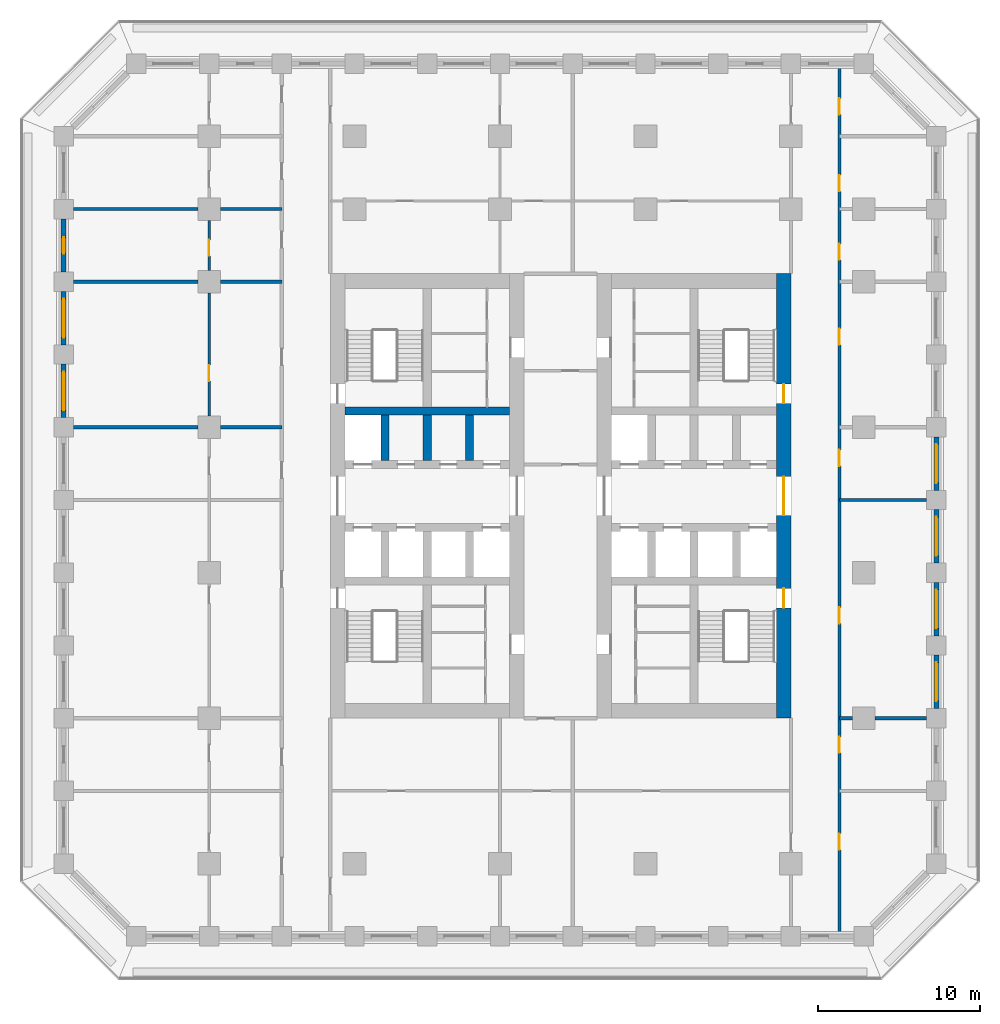
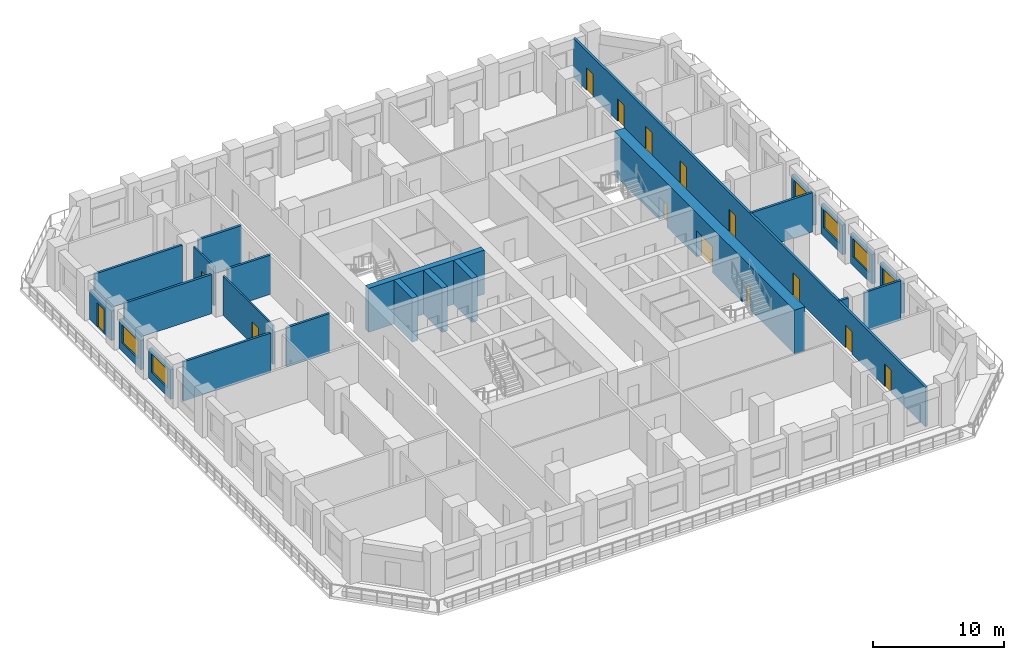
# One storey, part 6 of 17: 24 walls, 14 doors, 6 windows, 20 openings.
"""IFC4 building model written with IfcOpenShell, lengths in metres."""

import ifcopenshell
import ifcopenshell.guid

model = None  # the IFC model being written
_history = None  # IfcOwnerHistory: only IFC2X3 demands one
_inside = {}  # id of a spatial element -> (the spatial element, [elements in it])
_under = {}  # id of a project, library or spatial element -> (it, [spatial elements below it])
_declared = {}  # id of a project -> (the project, [libraries it declares])
_typed = {}  # id of a type object -> (the type object, [elements of that type])
_made_of = {}  # id of a material, layer set ... -> (it, [elements and type objects made of it])


def new_model(schema):
    """Start an empty IFC model of exactly this schema.

    Asked for "IFC4X3", IfcOpenShell would pick the latest addendum, in which some entities
    have other attributes; the version numbers below select the first issue.
    IFC2X3 requires an IfcOwnerHistory on every rooted entity: one is made here for all.
    """
    global model, _history
    if schema == "IFC4X3":
        model = ifcopenshell.file(schema_version=(4, 3, 0, 0))
    else:
        model = ifcopenshell.file(schema=schema)
    _inside.clear()
    _under.clear()
    _declared.clear()
    _typed.clear()
    _made_of.clear()
    _history = None
    if model.schema == "IFC2X3":
        org = make("IfcOrganization", Name="unknown")
        user = make(
            "IfcPersonAndOrganization",
            ThePerson=make("IfcPerson", FamilyName="unknown"),
            TheOrganization=org,
        )
        app = make(
            "IfcApplication",
            ApplicationDeveloper=org,
            Version="unknown",
            ApplicationFullName="unknown",
            ApplicationIdentifier="unknown",
        )
        _history = make(
            "IfcOwnerHistory",
            OwningUser=user,
            OwningApplication=app,
            ChangeAction="ADDED",
            CreationDate=0,
        )
    return model


def make(cls, **values):
    """One entity of the class cls with the attributes given. An attribute that is None is left unset."""
    return model.create_entity(
        cls, **{name: value for name, value in values.items() if value is not None}
    )


def rooted(cls, **values):
    """An entity with a GlobalId (a new one), such as an element, a storey or a relation."""
    return make(cls, GlobalId=ifcopenshell.guid.new(), OwnerHistory=_history, **values)


def si_unit(unit_type, name, prefix=None):
    """IfcSIUnit, for example si_unit("LENGTHUNIT", "METRE", prefix="MILLI")."""
    return make("IfcSIUnit", UnitType=unit_type, Prefix=prefix, Name=name)


def assignment(units):
    """IfcUnitAssignment: the units of a project."""
    return None if units is None else make("IfcUnitAssignment", Units=units)


def point(xyz):
    """IfcCartesianPoint."""
    return None if xyz is None else make("IfcCartesianPoint", Coordinates=xyz)


def direction(xyz):
    """IfcDirection."""
    return None if xyz is None else make("IfcDirection", DirectionRatios=xyz)


def frame(location, z_axis=None, x_axis=None):
    """IfcAxis2Placement3D, a coordinate frame: its origin and axes. An axis left out is left unset."""
    return make(
        "IfcAxis2Placement3D",
        Location=point(location),
        Axis=direction(z_axis),
        RefDirection=direction(x_axis),
    )


def frame_2d(location, x_axis=None):
    """IfcAxis2Placement2D, a coordinate frame in the plane: its origin and x axis."""
    return make(
        "IfcAxis2Placement2D", Location=point(location), RefDirection=direction(x_axis)
    )


def origin():
    """The frame at (0, 0, 0) with its axes left unset."""
    return frame((0.0, 0.0, 0.0))


def place(relative_to, where):
    """IfcLocalPlacement: puts the frame where relative to a parent placement (None: the world)."""
    return make(
        "IfcLocalPlacement", PlacementRelTo=relative_to, RelativePlacement=where
    )


def context(
    kind, dimensions, precision=None, world=None, true_north=None, identifier=None
):
    """IfcGeometricRepresentationContext, for example the 3D "Model" context."""
    return make(
        "IfcGeometricRepresentationContext",
        ContextIdentifier=identifier,
        ContextType=kind,
        CoordinateSpaceDimension=dimensions,
        Precision=precision,
        WorldCoordinateSystem=world,
        TrueNorth=true_north,
    )


def subcontext(parent, identifier, kind, view, scale=None):
    """IfcGeometricRepresentationSubContext, for example "Body" below "Model"."""
    return make(
        "IfcGeometricRepresentationSubContext",
        ContextIdentifier=identifier,
        ContextType=kind,
        ParentContext=parent,
        TargetScale=scale,
        TargetView=view,
    )


def project(units=None, contexts=None):
    """IfcProject with its units and contexts."""
    return rooted(
        "IfcProject",
        Name="project",
        RepresentationContexts=contexts,
        UnitsInContext=assignment(units),
    )


def spatial(cls, under=None, at=None, **own):
    """A site, building, storey or space (cls), placed at a placement, below another one or the project."""
    s = rooted(cls, ObjectPlacement=at, **own)
    if under is not None:
        _under.setdefault(under.id(), (under, []))[1].append(s)
    return s


def profile(cls, at=None, kind="AREA", **sizes):
    """A parametric profile (cls). Its sizes go by their IFC names, for example OverallWidth=200.0."""
    return make(cls, ProfileType=kind, Position=at, **sizes)


def rectangle(**sizes):
    """IfcRectangleProfileDef."""
    return profile("IfcRectangleProfileDef", **sizes)


def extrude(swept, where, along, depth):
    """IfcExtrudedAreaSolid: the profile swept, set in the frame where, extruded along a direction by depth."""
    return make(
        "IfcExtrudedAreaSolid",
        SweptArea=swept,
        Position=where,
        ExtrudedDirection=direction(along),
        Depth=depth,
    )


def shape(context_of_items, identifier, shape_type, items):
    """IfcShapeRepresentation: the items that make up one representation, for example the "Body"."""
    return make(
        "IfcShapeRepresentation",
        ContextOfItems=context_of_items,
        RepresentationIdentifier=identifier,
        RepresentationType=shape_type,
        Items=items,
    )


def material(Name=None, Category=None):
    """IfcMaterial."""
    return make("IfcMaterial", Name=Name, Category=Category)


def layer(
    of_material, thickness, ventilated=None, Name=None, Category=None, Priority=None
):
    """IfcMaterialLayer: one layer of a wall or slab, of a material (None: an air gap)."""
    return make(
        "IfcMaterialLayer",
        Material=of_material,
        LayerThickness=thickness,
        IsVentilated=ventilated,
        Name=Name,
        Category=Category,
        Priority=Priority,
    )


def layer_set(layers, Name=None):
    """IfcMaterialLayerSet."""
    return make("IfcMaterialLayerSet", MaterialLayers=layers, LayerSetName=Name)


def made_of(thing, what):
    """Note that an element or type object is made of a material, layer set ...; save() writes the relation."""
    if what is not None:
        _made_of.setdefault(what.id(), (what, []))[1].append(thing)
    return thing


def type_object(cls, material=None, **own):
    """A type object (cls), such as IfcWallType, which elements share."""
    return made_of(rooted(cls, **own), material)


def element(
    cls,
    number,
    at=None,
    inside=None,
    cuts=None,
    type_object=None,
    material=None,
    context=None,
    identifier="Body",
    shape_type=None,
    held_by="IfcProductDefinitionShape",
    body=None,
    shapes=None,
    **own,
):
    """One element of the class cls, such as IfcWall. Its Tag is "e" and its number.

    at: its placement. inside: the storey or other place that contains it. cuts: it is an
    opening in that element (IfcRelVoidsElement). A single representation is given by context,
    identifier, shape_type and body (its items); several are given by shapes. held_by: the class
    of the entity that holds the representations. save() writes the other relations.
    """
    e = rooted(cls, Tag="e%d" % number, ObjectPlacement=at, **own)
    if body is not None:
        shapes = [shape(context, identifier, shape_type, body)]
    if shapes is not None:
        e.Representation = make(held_by, Representations=shapes)
    if inside is not None:
        _inside.setdefault(inside.id(), (inside, []))[1].append(e)
    if cuts is not None:
        rooted(
            "IfcRelVoidsElement", RelatingBuildingElement=cuts, RelatedOpeningElement=e
        )
    if type_object is not None:
        _typed.setdefault(type_object.id(), (type_object, []))[1].append(e)
    return made_of(e, material)


def fill(opening, filler):
    """IfcRelFillsElement: the door or window that sits in an opening."""
    return rooted(
        "IfcRelFillsElement",
        RelatingOpeningElement=opening,
        RelatedBuildingElement=filler,
    )


def aggregate(whole, parts):
    """IfcRelAggregates: a whole, such as a stair, and the parts it consists of."""
    return rooted("IfcRelAggregates", RelatingObject=whole, RelatedObjects=parts)


def save(model, path):
    """Write the relations noted so far, then the file.

    IfcRelAggregates (storeys below a building ...), IfcRelContainedInSpatialStructure (elements
    in a storey), IfcRelDefinesByType, IfcRelAssociatesMaterial and IfcRelDeclares: one each for
    every whole, place, type object, material and project.
    """
    for whole, parts in _under.values():
        aggregate(whole, parts)
    for where, things in _inside.values():
        rooted(
            "IfcRelContainedInSpatialStructure",
            RelatedElements=things,
            RelatingStructure=where,
        )
    for kind, things in _typed.values():
        rooted("IfcRelDefinesByType", RelatedObjects=things, RelatingType=kind)
    for what, things in _made_of.values():
        rooted("IfcRelAssociatesMaterial", RelatedObjects=things, RelatingMaterial=what)
    for by, libraries in _declared.values():
        rooted("IfcRelDeclares", RelatingContext=by, RelatedDefinitions=libraries)
    model.write(path)


model = new_model("IFC4")

# Units and contexts
model_context = context("Model", 3, precision=1e-05, world=origin(), true_north=direction((0.0, 1.0)))
body_context = subcontext(model_context, "Body", "Model", "MODEL_VIEW")
ifc_project = project(units=[si_unit("LENGTHUNIT", "METRE"), si_unit("AREAUNIT", "SQUARE_METRE"), si_unit("VOLUMEUNIT", "CUBIC_METRE"), si_unit("PLANEANGLEUNIT", "RADIAN"), si_unit("MASSUNIT", "GRAM", prefix="KILO")], contexts=[model_context])

# Site, building, storey
site_placement = place(None, origin())
site = spatial("IfcSite", under=ifc_project, at=site_placement, CompositionType="ELEMENT")
building_placement = place(site_placement, origin())
building = spatial("IfcBuilding", under=site, at=building_placement, Name="Corbel Stack Research Tower", CompositionType="ELEMENT")
storey_placement = place(building_placement, frame((0.0, 0.0, 129.0)))
storey = spatial("IfcBuildingStorey", under=building, at=storey_placement, Name="L29", CompositionType="ELEMENT", Elevation=129.0)

# Walls
ifc_material_1 = material(Name="Concrete C70/85", Category="concrete")
ifc_layer_1 = layer(ifc_material_1, 0.5)
ifc_layer_set_1 = layer_set([ifc_layer_1], Name="Concrete C70/85")
wall_type_1 = type_object("IfcWallType", Name="CW-500-70", PredefinedType="SHEAR", material=ifc_layer_set_1)
wall_1_placement = place(storey_placement, frame((-9.60009765625, 10.0, 0.0), z_axis=(0.0, 0.0, 1.0), x_axis=(1.0, 0.0, 0.0)))
element("IfcWall", 1, at=wall_1_placement, inside=storey, type_object=wall_type_1, Name="West core wall, north row back L29", PredefinedType="SHEAR", context=body_context, shape_type="SweptSolid", body=[
    extrude(rectangle(XDim=10.2001953125, YDim=0.5, at=frame_2d((5.10009765625, 0.0))), origin(), (0.0, 0.0, 1.0), 4.10009765625),
])
for number, where, z_axis, x_axis, name in (
    (2, (-7.125, 6.949951171875, 0.0), (0.0, 0.0, 1.0), (0.0, 1.0, 0.0), "West core wall, north shaft 1 L29"),
    (3, (-4.5, 6.949951171875, 0.0), (0.0, 0.0, 1.0), (0.0, 1.0, 0.0), "West core wall, north shaft 2 L29"),
    (4, (-1.875, 6.949951171875, 0.0), (0.0, 0.0, 1.0), (0.0, 1.0, 0.0), "West core wall, north shaft 3 L29"),
):
    element("IfcWall", number, at=place(storey_placement, frame(where, z_axis=z_axis, x_axis=x_axis)), inside=storey, type_object=wall_type_1, Name=name, PredefinedType="SHEAR", context=body_context, shape_type="SweptSolid", body=[
        extrude(rectangle(XDim=2.800048828125, YDim=0.5, at=frame_2d((1.39990234375, 0.0))), origin(), (0.0, 0.0, 1.0), 4.10009765625),
    ])

# Wall, openings, doors
ifc_material_2 = material(Name="Concrete C70/85", Category="concrete")
ifc_layer_2 = layer(ifc_material_2, 0.89990234375)
ifc_layer_set_2 = layer_set([ifc_layer_2], Name="Concrete C70/85")
wall_type_2 = type_object("IfcWallType", Name="CW-900-70", PredefinedType="SHEAR", material=ifc_layer_set_2)
wall_2_placement = place(storey_placement, frame((17.550048828125, -9.0, 0.0), z_axis=(0.0, 0.0, 1.0), x_axis=(0.0, 1.0, 0.0)))
wall_2 = element("IfcWall", 5, at=wall_2_placement, inside=storey, type_object=wall_type_2, Name="East core wall, east face L29", PredefinedType="SHEAR", context=body_context, shape_type="SweptSolid", body=[
    extrude(rectangle(XDim=27.5, YDim=0.89990234375, at=frame_2d((13.75, 0.0))), origin(), (0.0, 0.0, 1.0), 4.10009765625),
])
opening_1_placement = place(wall_2_placement, frame((12.550048828125, 0.0, 0.0)))
opening_1 = element("IfcOpeningElement", 6, at=opening_1_placement, cuts=wall_2, Name="Opening CD-E-E", PredefinedType="OPENING", context=body_context, shape_type="SweptSolid", body=[
    extrude(rectangle(XDim=2.39990234375, YDim=2.39990234375, at=frame_2d((1.199951171875, 1.199951171875))), frame((0.0, 0.4599609375, 0.0), z_axis=(0.0, -1.0, 0.0), x_axis=(1.0, 0.0, 0.0)), (0.0, 0.0, 1.0), 0.919921875),
])
opening_2_placement = place(wall_2_placement, frame((6.824951171875, 0.0, 0.0)))
opening_2 = element("IfcOpeningElement", 7, at=opening_2_placement, cuts=wall_2, Name="Opening SD-ST-E1", PredefinedType="OPENING", context=body_context, shape_type="SweptSolid", body=[
    extrude(rectangle(XDim=1.199951171875, YDim=2.10009765625, at=frame_2d((0.60009765625, 1.050048828125))), frame((0.0, 0.4599609375, 0.0), z_axis=(0.0, -1.0, 0.0), x_axis=(1.0, 0.0, 0.0)), (0.0, 0.0, 1.0), 0.919921875),
])
opening_3_placement = place(wall_2_placement, frame((19.47509765625, 0.0, 0.0)))
opening_3 = element("IfcOpeningElement", 8, at=opening_3_placement, cuts=wall_2, Name="Opening SD-ST-E2", PredefinedType="OPENING", context=body_context, shape_type="SweptSolid", body=[
    extrude(rectangle(XDim=1.199951171875, YDim=2.10009765625, at=frame_2d((0.60009765625, 1.050048828125))), frame((0.0, 0.4599609375, 0.0), z_axis=(0.0, -1.0, 0.0), x_axis=(1.0, 0.0, 0.0)), (0.0, 0.0, 1.0), 0.919921875),
])
ifc_material_3 = material(Name="Painted steel fire door", Category="steel")
door_type_1 = type_object("IfcDoorType", Name="Lobby door pair 2400 x 2400 FD30S", OperationType="DOUBLE_DOOR_DOUBLE_SWING", PredefinedType="DOOR", material=ifc_material_3)
door_1_placement = place(opening_1_placement, origin())
door_1 = element("IfcDoor", 9, at=door_1_placement, inside=storey, type_object=door_type_1, Name="Lift lobby door E core E", OperationType="DOUBLE_DOOR_DOUBLE_SWING", OverallHeight=2.39990234375, OverallWidth=2.39990234375, PredefinedType="DOOR", context=body_context, shape_type="SweptSolid", body=[
    extrude(rectangle(XDim=2.39990234375, YDim=2.39990234375, at=frame_2d((1.199951171875, 1.199951171875))), frame((0.0, 0.02490234375, 0.0), z_axis=(0.0, -1.0, 0.0), x_axis=(1.0, 0.0, 0.0)), (0.0, 0.0, 1.0), 0.050048828125),
])
fill(opening_1, door_1)
ifc_material_4 = material(Name="Painted steel fire door", Category="steel")
door_type_2 = type_object("IfcDoorType", Name="Stair door 1200 x 2100 FD90 right hand", OperationType="SINGLE_SWING_RIGHT", PredefinedType="DOOR", material=ifc_material_4)
door_2_placement = place(opening_2_placement, frame((1.199951171875, 0.0, 0.0), z_axis=(0.0, 0.0, 1.0), x_axis=(-1.0, 0.0, 0.0)))
door_2 = element("IfcDoor", 10, at=door_2_placement, inside=storey, type_object=door_type_2, Name="Stair door ST-E1", OperationType="SINGLE_SWING_LEFT", OverallHeight=2.10009765625, OverallWidth=1.199951171875, PredefinedType="DOOR", context=body_context, shape_type="SweptSolid", body=[
    extrude(rectangle(XDim=1.199951171875, YDim=2.10009765625, at=frame_2d((0.60009765625, 1.050048828125))), frame((0.0, 0.02490234375, 0.0), z_axis=(0.0, -1.0, 0.0), x_axis=(1.0, 0.0, 0.0)), (0.0, 0.0, 1.0), 0.050048828125),
])
fill(opening_2, door_2)
door_3_placement = place(opening_3_placement, frame((1.199951171875, 0.0, 0.0), z_axis=(0.0, 0.0, 1.0), x_axis=(-1.0, 0.0, 0.0)))
door_3 = element("IfcDoor", 11, at=door_3_placement, inside=storey, type_object=door_type_2, Name="Stair door ST-E2", OperationType="SINGLE_SWING_LEFT", OverallHeight=2.10009765625, OverallWidth=1.199951171875, PredefinedType="DOOR", context=body_context, shape_type="SweptSolid", body=[
    extrude(rectangle(XDim=1.199951171875, YDim=2.10009765625, at=frame_2d((0.60009765625, 1.050048828125))), frame((0.0, 0.02490234375, 0.0), z_axis=(0.0, -1.0, 0.0), x_axis=(1.0, 0.0, 0.0)), (0.0, 0.0, 1.0), 0.050048828125),
])
fill(opening_3, door_3)

ifc_material_5 = material(Name="Fire-rated gypsum board partition on steel studs", Category="steel")
ifc_layer_3 = layer(ifc_material_5, 0.199951171875)
ifc_layer_set_3 = layer_set([ifc_layer_3], Name="Fire-rated gypsum board partition on steel studs")
wall_type_3 = type_object("IfcWallType", Name="Fire-rated partition 200 EI 60", PredefinedType="PARTITIONING", material=ifc_layer_set_3)
wall_3_placement = place(storey_placement, frame((21.0, 31.35009765625, 0.0), z_axis=(0.0, 0.0, 1.0), x_axis=(0.0, -1.0, 0.0)))
wall_3 = element("IfcWall", 12, at=wall_3_placement, inside=storey, type_object=wall_type_3, Name="Partition L29-024", PredefinedType="PARTITIONING", context=body_context, shape_type="SweptSolid", body=[
    extrude(rectangle(XDim=53.7001953125, YDim=0.199951171875, at=frame_2d((26.85009765625, 0.0))), origin(), (0.0, 0.0, 1.0), 3.64990234375),
])
opening_4_placement = place(wall_3_placement, frame((47.5, 0.0, 0.0)))
opening_4 = element("IfcOpeningElement", 13, at=opening_4_placement, cuts=wall_3, Name="Opening B4V1-028", PredefinedType="OPENING", context=body_context, shape_type="SweptSolid", body=[
    extrude(rectangle(XDim=1.0, YDim=2.10009765625, at=frame_2d((0.5, 1.050048828125))), frame((0.0, 0.10986328125, 0.0), z_axis=(0.0, -1.0, 0.0), x_axis=(1.0, 0.0, 0.0)), (0.0, 0.0, 1.0), 0.219970703125),
])
opening_5_placement = place(wall_3_placement, frame((41.5, 0.0, 0.0)))
opening_5 = element("IfcOpeningElement", 14, at=opening_5_placement, cuts=wall_3, Name="Opening B4V1-029", PredefinedType="OPENING", context=body_context, shape_type="SweptSolid", body=[
    extrude(rectangle(XDim=1.0, YDim=2.10009765625, at=frame_2d((0.5, 1.050048828125))), frame((0.0, 0.10986328125, 0.0), z_axis=(0.0, -1.0, 0.0), x_axis=(1.0, 0.0, 0.0)), (0.0, 0.0, 1.0), 0.219970703125),
])
opening_6_placement = place(wall_3_placement, frame((33.5, 0.0, 0.0)))
opening_6 = element("IfcOpeningElement", 15, at=opening_6_placement, cuts=wall_3, Name="Opening B4V1-030", PredefinedType="OPENING", context=body_context, shape_type="SweptSolid", body=[
    extrude(rectangle(XDim=1.0, YDim=2.10009765625, at=frame_2d((0.5, 1.050048828125))), frame((0.0, 0.10986328125, 0.0), z_axis=(0.0, -1.0, 0.0), x_axis=(1.0, 0.0, 0.0)), (0.0, 0.0, 1.0), 0.219970703125),
])
opening_7_placement = place(wall_3_placement, frame((23.75, 0.0, 0.0)))
opening_7 = element("IfcOpeningElement", 16, at=opening_7_placement, cuts=wall_3, Name="Opening B4V1-031", PredefinedType="OPENING", context=body_context, shape_type="SweptSolid", body=[
    extrude(rectangle(XDim=1.0, YDim=2.10009765625, at=frame_2d((0.5, 1.050048828125))), frame((0.0, 0.10986328125, 0.0), z_axis=(0.0, -1.0, 0.0), x_axis=(1.0, 0.0, 0.0)), (0.0, 0.0, 1.0), 0.219970703125),
])
opening_8_placement = place(wall_3_placement, frame((16.25, 0.0, 0.0)))
opening_8 = element("IfcOpeningElement", 17, at=opening_8_placement, cuts=wall_3, Name="Opening B4V1-032", PredefinedType="OPENING", context=body_context, shape_type="SweptSolid", body=[
    extrude(rectangle(XDim=1.0, YDim=2.10009765625, at=frame_2d((0.5, 1.050048828125))), frame((0.0, 0.10986328125, 0.0), z_axis=(0.0, -1.0, 0.0), x_axis=(1.0, 0.0, 0.0)), (0.0, 0.0, 1.0), 0.219970703125),
])
opening_9_placement = place(wall_3_placement, frame((11.0, 0.0, 0.0)))
opening_9 = element("IfcOpeningElement", 18, at=opening_9_placement, cuts=wall_3, Name="Opening B4V1-033", PredefinedType="OPENING", context=body_context, shape_type="SweptSolid", body=[
    extrude(rectangle(XDim=1.0, YDim=2.10009765625, at=frame_2d((0.5, 1.050048828125))), frame((0.0, 0.10986328125, 0.0), z_axis=(0.0, -1.0, 0.0), x_axis=(1.0, 0.0, 0.0)), (0.0, 0.0, 1.0), 0.219970703125),
])
opening_10_placement = place(wall_3_placement, frame((6.75, 0.0, 0.0)))
opening_10 = element("IfcOpeningElement", 19, at=opening_10_placement, cuts=wall_3, Name="Opening B4V1-034", PredefinedType="OPENING", context=body_context, shape_type="SweptSolid", body=[
    extrude(rectangle(XDim=1.0, YDim=2.10009765625, at=frame_2d((0.5, 1.050048828125))), frame((0.0, 0.10986328125, 0.0), z_axis=(0.0, -1.0, 0.0), x_axis=(1.0, 0.0, 0.0)), (0.0, 0.0, 1.0), 0.219970703125),
])
opening_11_placement = place(wall_3_placement, frame((2.0, 0.0, 0.0)))
opening_11 = element("IfcOpeningElement", 20, at=opening_11_placement, cuts=wall_3, Name="Opening B4V1-035", PredefinedType="OPENING", context=body_context, shape_type="SweptSolid", body=[
    extrude(rectangle(XDim=1.0, YDim=2.10009765625, at=frame_2d((0.5, 1.050048828125))), frame((0.0, 0.10986328125, 0.0), z_axis=(0.0, -1.0, 0.0), x_axis=(1.0, 0.0, 0.0)), (0.0, 0.0, 1.0), 0.219970703125),
])
ifc_material_6 = material(Name="Painted steel fire door", Category="steel")
door_type_3 = type_object("IfcDoorType", Name="Fire door FD30S 1000 x 2100", OperationType="NOTDEFINED", PredefinedType="DOOR", material=ifc_material_6)
door_4_placement = place(opening_4_placement, origin())
door_4 = element("IfcDoor", 21, at=door_4_placement, inside=storey, type_object=door_type_3, Name="Door B4V1-028", OperationType="SINGLE_SWING_RIGHT", OverallHeight=2.10009765625, OverallWidth=1.0, PredefinedType="DOOR", context=body_context, shape_type="SweptSolid", body=[
    extrude(rectangle(XDim=1.0, YDim=2.10009765625, at=frame_2d((0.5, 1.050048828125))), frame((0.0, 0.02490234375, 0.0), z_axis=(0.0, -1.0, 0.0), x_axis=(1.0, 0.0, 0.0)), (0.0, 0.0, 1.0), 0.050048828125),
])
fill(opening_4, door_4)
door_5_placement = place(opening_5_placement, origin())
door_5 = element("IfcDoor", 22, at=door_5_placement, inside=storey, type_object=door_type_3, Name="Door B4V1-029", OperationType="SINGLE_SWING_RIGHT", OverallHeight=2.10009765625, OverallWidth=1.0, PredefinedType="DOOR", context=body_context, shape_type="SweptSolid", body=[
    extrude(rectangle(XDim=1.0, YDim=2.10009765625, at=frame_2d((0.5, 1.050048828125))), frame((0.0, 0.02490234375, 0.0), z_axis=(0.0, -1.0, 0.0), x_axis=(1.0, 0.0, 0.0)), (0.0, 0.0, 1.0), 0.050048828125),
])
fill(opening_5, door_5)
door_6_placement = place(opening_6_placement, origin())
door_6 = element("IfcDoor", 23, at=door_6_placement, inside=storey, type_object=door_type_3, Name="Door B4V1-030", OperationType="SINGLE_SWING_RIGHT", OverallHeight=2.10009765625, OverallWidth=1.0, PredefinedType="DOOR", context=body_context, shape_type="SweptSolid", body=[
    extrude(rectangle(XDim=1.0, YDim=2.10009765625, at=frame_2d((0.5, 1.050048828125))), frame((0.0, 0.02490234375, 0.0), z_axis=(0.0, -1.0, 0.0), x_axis=(1.0, 0.0, 0.0)), (0.0, 0.0, 1.0), 0.050048828125),
])
fill(opening_6, door_6)
door_7_placement = place(opening_7_placement, origin())
door_7 = element("IfcDoor", 24, at=door_7_placement, inside=storey, type_object=door_type_3, Name="Door B4V1-031", OperationType="SINGLE_SWING_LEFT", OverallHeight=2.10009765625, OverallWidth=1.0, PredefinedType="DOOR", context=body_context, shape_type="SweptSolid", body=[
    extrude(rectangle(XDim=1.0, YDim=2.10009765625, at=frame_2d((0.5, 1.050048828125))), frame((0.0, 0.02490234375, 0.0), z_axis=(0.0, -1.0, 0.0), x_axis=(1.0, 0.0, 0.0)), (0.0, 0.0, 1.0), 0.050048828125),
])
fill(opening_7, door_7)
door_8_placement = place(opening_8_placement, origin())
door_8 = element("IfcDoor", 25, at=door_8_placement, inside=storey, type_object=door_type_3, Name="Door B4V1-032", OperationType="SINGLE_SWING_LEFT", OverallHeight=2.10009765625, OverallWidth=1.0, PredefinedType="DOOR", context=body_context, shape_type="SweptSolid", body=[
    extrude(rectangle(XDim=1.0, YDim=2.10009765625, at=frame_2d((0.5, 1.050048828125))), frame((0.0, 0.02490234375, 0.0), z_axis=(0.0, -1.0, 0.0), x_axis=(1.0, 0.0, 0.0)), (0.0, 0.0, 1.0), 0.050048828125),
])
fill(opening_8, door_8)
door_9_placement = place(opening_9_placement, origin())
door_9 = element("IfcDoor", 26, at=door_9_placement, inside=storey, type_object=door_type_3, Name="Door B4V1-033", OperationType="SINGLE_SWING_LEFT", OverallHeight=2.10009765625, OverallWidth=1.0, PredefinedType="DOOR", context=body_context, shape_type="SweptSolid", body=[
    extrude(rectangle(XDim=1.0, YDim=2.10009765625, at=frame_2d((0.5, 1.050048828125))), frame((0.0, 0.02490234375, 0.0), z_axis=(0.0, -1.0, 0.0), x_axis=(1.0, 0.0, 0.0)), (0.0, 0.0, 1.0), 0.050048828125),
])
fill(opening_9, door_9)
door_10_placement = place(opening_10_placement, origin())
door_10 = element("IfcDoor", 27, at=door_10_placement, inside=storey, type_object=door_type_3, Name="Door B4V1-034", OperationType="SINGLE_SWING_LEFT", OverallHeight=2.10009765625, OverallWidth=1.0, PredefinedType="DOOR", context=body_context, shape_type="SweptSolid", body=[
    extrude(rectangle(XDim=1.0, YDim=2.10009765625, at=frame_2d((0.5, 1.050048828125))), frame((0.0, 0.02490234375, 0.0), z_axis=(0.0, -1.0, 0.0), x_axis=(1.0, 0.0, 0.0)), (0.0, 0.0, 1.0), 0.050048828125),
])
fill(opening_10, door_10)
door_11_placement = place(opening_11_placement, origin())
door_11 = element("IfcDoor", 28, at=door_11_placement, inside=storey, type_object=door_type_3, Name="Door B4V1-035", OperationType="SINGLE_SWING_LEFT", OverallHeight=2.10009765625, OverallWidth=1.0, PredefinedType="DOOR", context=body_context, shape_type="SweptSolid", body=[
    extrude(rectangle(XDim=1.0, YDim=2.10009765625, at=frame_2d((0.5, 1.050048828125))), frame((0.0, 0.02490234375, 0.0), z_axis=(0.0, -1.0, 0.0), x_axis=(1.0, 0.0, 0.0)), (0.0, 0.0, 1.0), 0.050048828125),
])
fill(opening_11, door_11)

# Walls
wall_4_placement = place(storey_placement, frame((21.0, -9.0, 0.0), z_axis=(0.0, 0.0, 1.0), x_axis=(1.0, 0.0, 0.0)))
element("IfcWall", 29, at=wall_4_placement, inside=storey, type_object=wall_type_3, Name="Partition L29-031", PredefinedType="PARTITIONING", context=body_context, shape_type="SweptSolid", body=[
    extrude(rectangle(XDim=0.800048828125, YDim=0.199951171875, at=frame_2d((0.39990234375, 0.0))), origin(), (0.0, 0.0, 1.0), 3.64990234375),
])
wall_5_placement = place(storey_placement, frame((23.199951171875, -9.0, 0.0), z_axis=(0.0, 0.0, 1.0), x_axis=(1.0, 0.0, 0.0)))
element("IfcWall", 30, at=wall_5_placement, inside=storey, type_object=wall_type_3, Name="Partition L29-032", PredefinedType="PARTITIONING", context=body_context, shape_type="SweptSolid", body=[
    extrude(rectangle(XDim=3.199951171875, YDim=0.199951171875, at=frame_2d((1.60009765625, 0.0))), origin(), (0.0, 0.0, 1.0), 3.64990234375),
])
wall_6_placement = place(storey_placement, frame((21.0, 4.5, 0.0), z_axis=(0.0, 0.0, 1.0), x_axis=(1.0, 0.0, 0.0)))
element("IfcWall", 31, at=wall_6_placement, inside=storey, type_object=wall_type_3, Name="Partition L29-034", PredefinedType="PARTITIONING", context=body_context, shape_type="SweptSolid", body=[
    extrude(rectangle(XDim=5.39990234375, YDim=0.199951171875, at=frame_2d((2.699951171875, 0.0))), origin(), (0.0, 0.0, 1.0), 3.64990234375),
])
wall_7_placement = place(storey_placement, frame((-26.39990234375, 9.0, 0.0), z_axis=(0.0, 0.0, 1.0), x_axis=(1.0, 0.0, 0.0)))
element("IfcWall", 32, at=wall_7_placement, inside=storey, type_object=wall_type_3, Name="Partition L29-036", PredefinedType="PARTITIONING", context=body_context, shape_type="SweptSolid", body=[
    extrude(rectangle(XDim=7.699951171875, YDim=0.199951171875, at=frame_2d((3.85009765625, 0.0))), origin(), (0.0, 0.0, 1.0), 3.64990234375),
])
wall_8_placement = place(storey_placement, frame((-17.300048828125, 9.0, 0.0), z_axis=(0.0, 0.0, 1.0), x_axis=(1.0, 0.0, 0.0)))
element("IfcWall", 33, at=wall_8_placement, inside=storey, type_object=wall_type_3, Name="Partition L29-037", PredefinedType="PARTITIONING", context=body_context, shape_type="SweptSolid", body=[
    extrude(rectangle(XDim=3.800048828125, YDim=0.199951171875, at=frame_2d((1.89990234375, 0.0))), origin(), (0.0, 0.0, 1.0), 3.64990234375),
])
wall_9_placement = place(storey_placement, frame((-26.39990234375, 18.0, 0.0), z_axis=(0.0, 0.0, 1.0), x_axis=(1.0, 0.0, 0.0)))
element("IfcWall", 34, at=wall_9_placement, inside=storey, type_object=wall_type_3, Name="Partition L29-041", PredefinedType="PARTITIONING", context=body_context, shape_type="SweptSolid", body=[
    extrude(rectangle(XDim=7.699951171875, YDim=0.199951171875, at=frame_2d((3.85009765625, 0.0))), origin(), (0.0, 0.0, 1.0), 3.64990234375),
])
wall_10_placement = place(storey_placement, frame((-17.300048828125, 18.0, 0.0), z_axis=(0.0, 0.0, 1.0), x_axis=(1.0, 0.0, 0.0)))
element("IfcWall", 35, at=wall_10_placement, inside=storey, type_object=wall_type_3, Name="Partition L29-042", PredefinedType="PARTITIONING", context=body_context, shape_type="SweptSolid", body=[
    extrude(rectangle(XDim=3.800048828125, YDim=0.199951171875, at=frame_2d((1.89990234375, 0.0))), origin(), (0.0, 0.0, 1.0), 3.64990234375),
])
wall_11_placement = place(storey_placement, frame((-26.39990234375, 22.5, 0.0), z_axis=(0.0, 0.0, 1.0), x_axis=(1.0, 0.0, 0.0)))
element("IfcWall", 36, at=wall_11_placement, inside=storey, type_object=wall_type_3, Name="Partition L29-046", PredefinedType="PARTITIONING", context=body_context, shape_type="SweptSolid", body=[
    extrude(rectangle(XDim=7.699951171875, YDim=0.199951171875, at=frame_2d((3.85009765625, 0.0))), origin(), (0.0, 0.0, 1.0), 3.64990234375),
])
wall_12_placement = place(storey_placement, frame((-17.300048828125, 22.5, 0.0), z_axis=(0.0, 0.0, 1.0), x_axis=(1.0, 0.0, 0.0)))
element("IfcWall", 37, at=wall_12_placement, inside=storey, type_object=wall_type_3, Name="Partition L29-047", PredefinedType="PARTITIONING", context=body_context, shape_type="SweptSolid", body=[
    extrude(rectangle(XDim=3.800048828125, YDim=0.199951171875, at=frame_2d((1.89990234375, 0.0))), origin(), (0.0, 0.0, 1.0), 3.64990234375),
])

# Wall, opening, door
ifc_material_7 = material(Name="Gypsum board partition on steel studs", Category="steel")
ifc_layer_4 = layer(ifc_material_7, 0.14990234375)
ifc_layer_set_4 = layer_set([ifc_layer_4], Name="Gypsum board partition on steel studs")
wall_type_4 = type_object("IfcWallType", Name="Partition 150", PredefinedType="PARTITIONING", material=ifc_layer_set_4)
wall_13_placement = place(storey_placement, frame((-18.0, 9.699951171875, 0.0), z_axis=(0.0, 0.0, 1.0), x_axis=(0.0, 1.0, 0.0)))
wall_13 = element("IfcWall", 38, at=wall_13_placement, inside=storey, type_object=wall_type_4, Name="Partition L29-005", PredefinedType="PARTITIONING", context=body_context, shape_type="SweptSolid", body=[
    extrude(rectangle(XDim=7.60009765625, YDim=0.14990234375, at=frame_2d((3.800048828125, 0.0))), origin(), (0.0, 0.0, 1.0), 3.64990234375),
])
opening_12_placement = place(wall_13_placement, frame((2.14990234375, 0.0, 0.0)))
opening_12 = element("IfcOpeningElement", 39, at=opening_12_placement, cuts=wall_13, Name="Opening B4V1-005", PredefinedType="OPENING", context=body_context, shape_type="SweptSolid", body=[
    extrude(rectangle(XDim=1.0, YDim=2.10009765625, at=frame_2d((0.5, 1.050048828125))), frame((0.0, 0.0849609375, 0.0), z_axis=(0.0, -1.0, 0.0), x_axis=(1.0, 0.0, 0.0)), (0.0, 0.0, 1.0), 0.169921875),
])
ifc_material_8 = material(Name="Painted timber door", Category="wood")
door_type_4 = type_object("IfcDoorType", Name="Single door 1000 x 2100", OperationType="NOTDEFINED", PredefinedType="DOOR", material=ifc_material_8)
door_12_placement = place(opening_12_placement, origin())
door_12 = element("IfcDoor", 40, at=door_12_placement, inside=storey, type_object=door_type_4, Name="Door B4V1-005", OperationType="SINGLE_SWING_LEFT", OverallHeight=2.10009765625, OverallWidth=1.0, PredefinedType="DOOR", context=body_context, shape_type="SweptSolid", body=[
    extrude(rectangle(XDim=1.0, YDim=2.10009765625, at=frame_2d((0.5, 1.050048828125))), frame((0.0, 0.02490234375, 0.0), z_axis=(0.0, -1.0, 0.0), x_axis=(1.0, 0.0, 0.0)), (0.0, 0.0, 1.0), 0.050048828125),
])
fill(opening_12, door_12)

wall_14_placement = place(storey_placement, frame((-18.0, 18.699951171875, 0.0), z_axis=(0.0, 0.0, 1.0), x_axis=(0.0, 1.0, 0.0)))
wall_14 = element("IfcWall", 41, at=wall_14_placement, inside=storey, type_object=wall_type_4, Name="Partition L29-006", PredefinedType="PARTITIONING", context=body_context, shape_type="SweptSolid", body=[
    extrude(rectangle(XDim=3.10009765625, YDim=0.14990234375, at=frame_2d((1.550048828125, 0.0))), origin(), (0.0, 0.0, 1.0), 3.64990234375),
])
opening_13_placement = place(wall_14_placement, frame((0.89990234375, 0.0, 0.0)))
opening_13 = element("IfcOpeningElement", 42, at=opening_13_placement, cuts=wall_14, Name="Opening B4V1-006", PredefinedType="OPENING", context=body_context, shape_type="SweptSolid", body=[
    extrude(rectangle(XDim=1.0, YDim=2.10009765625, at=frame_2d((0.5, 1.050048828125))), frame((0.0, 0.0849609375, 0.0), z_axis=(0.0, -1.0, 0.0), x_axis=(1.0, 0.0, 0.0)), (0.0, 0.0, 1.0), 0.169921875),
])
door_13_placement = place(opening_13_placement, origin())
door_13 = element("IfcDoor", 43, at=door_13_placement, inside=storey, type_object=door_type_4, Name="Door B4V1-006", OperationType="SINGLE_SWING_LEFT", OverallHeight=2.10009765625, OverallWidth=1.0, PredefinedType="DOOR", context=body_context, shape_type="SweptSolid", body=[
    extrude(rectangle(XDim=1.0, YDim=2.10009765625, at=frame_2d((0.5, 1.050048828125))), frame((0.0, 0.02490234375, 0.0), z_axis=(0.0, -1.0, 0.0), x_axis=(1.0, 0.0, 0.0)), (0.0, 0.0, 1.0), 0.050048828125),
])
fill(opening_13, door_13)

# Wall, opening, window
ifc_material_9 = material(Name="Concrete C45/55", Category="concrete")
ifc_layer_5 = layer(ifc_material_9, 0.300048828125)
ifc_layer_set_5 = layer_set([ifc_layer_5], Name="Concrete C45/55")
wall_type_5 = type_object("IfcWallType", Name="Terracotta-faced concrete wall 300", PredefinedType="SOLIDWALL", material=ifc_layer_set_5)
wall_15_placement = place(storey_placement, frame((27.0, -5.10009765625, 0.0), z_axis=(0.0, 0.0, 1.0), x_axis=(0.0, -1.0, 0.0)))
wall_15 = element("IfcWall", 44, at=wall_15_placement, inside=storey, type_object=wall_type_5, Name="Facade wall L29 E03", PredefinedType="SOLIDWALL", context=body_context, shape_type="SweptSolid", body=[
    extrude(rectangle(XDim=3.2998046875, YDim=0.300048828125, at=frame_2d((1.64990234375, 0.0))), origin(), (0.0, 0.0, 1.0), 2.75),
])
opening_14_placement = place(wall_15_placement, frame((0.449951171875, 0.0, 0.800048828125)))
opening_14 = element("IfcOpeningElement", 45, at=opening_14_placement, cuts=wall_15, Name="Opening W1", PredefinedType="OPENING", context=body_context, shape_type="SweptSolid", body=[
    extrude(rectangle(XDim=2.39990234375, YDim=1.699951171875, at=frame_2d((1.199951171875, 0.85009765625))), frame((0.0, 0.159912109375, 0.0), z_axis=(0.0, -1.0, 0.0), x_axis=(1.0, 0.0, 0.0)), (0.0, 0.0, 1.0), 0.320068359375),
])
ifc_material_10 = material(Name="Aluminium frame, clear double glazing", Category="aluminium")
window_type = type_object("IfcWindowType", Name="Window W1 2400 x 1700", PartitioningType="SINGLE_PANEL", PredefinedType="WINDOW", material=ifc_material_10)
window_1_placement = place(opening_14_placement, origin())
window_1 = element("IfcWindow", 46, at=window_1_placement, inside=storey, type_object=window_type, Name="Window W1 L29 E03", OverallHeight=1.699951171875, OverallWidth=2.39990234375, PartitioningType="SINGLE_PANEL", PredefinedType="WINDOW", context=body_context, shape_type="SweptSolid", body=[
    extrude(rectangle(XDim=2.39990234375, YDim=1.699951171875, at=frame_2d((1.199951171875, 0.85009765625))), frame((0.0, 0.030029296875, 0.0), z_axis=(0.0, -1.0, 0.0), x_axis=(1.0, 0.0, 0.0)), (0.0, 0.0, 1.0), 0.06005859375),
])
fill(opening_14, window_1)

wall_16_placement = place(storey_placement, frame((27.0, -0.60009765625, 0.0), z_axis=(0.0, 0.0, 1.0), x_axis=(0.0, -1.0, 0.0)))
wall_16 = element("IfcWall", 47, at=wall_16_placement, inside=storey, type_object=wall_type_5, Name="Facade wall L29 E04", PredefinedType="SOLIDWALL", context=body_context, shape_type="SweptSolid", body=[
    extrude(rectangle(XDim=3.2998046875, YDim=0.300048828125, at=frame_2d((1.64990234375, 0.0))), origin(), (0.0, 0.0, 1.0), 2.75),
])
opening_15_placement = place(wall_16_placement, frame((0.449951171875, 0.0, 0.800048828125)))
opening_15 = element("IfcOpeningElement", 48, at=opening_15_placement, cuts=wall_16, Name="Opening W1", PredefinedType="OPENING", context=body_context, shape_type="SweptSolid", body=[
    extrude(rectangle(XDim=2.39990234375, YDim=1.699951171875, at=frame_2d((1.199951171875, 0.85009765625))), frame((0.0, 0.159912109375, 0.0), z_axis=(0.0, -1.0, 0.0), x_axis=(1.0, 0.0, 0.0)), (0.0, 0.0, 1.0), 0.320068359375),
])
window_2_placement = place(opening_15_placement, origin())
window_2 = element("IfcWindow", 49, at=window_2_placement, inside=storey, type_object=window_type, Name="Window W1 L29 E04", OverallHeight=1.699951171875, OverallWidth=2.39990234375, PartitioningType="SINGLE_PANEL", PredefinedType="WINDOW", context=body_context, shape_type="SweptSolid", body=[
    extrude(rectangle(XDim=2.39990234375, YDim=1.699951171875, at=frame_2d((1.199951171875, 0.85009765625))), frame((0.0, 0.030029296875, 0.0), z_axis=(0.0, -1.0, 0.0), x_axis=(1.0, 0.0, 0.0)), (0.0, 0.0, 1.0), 0.06005859375),
])
fill(opening_15, window_2)

wall_17_placement = place(storey_placement, frame((27.0, 3.89990234375, 0.0), z_axis=(0.0, 0.0, 1.0), x_axis=(0.0, -1.0, 0.0)))
wall_17 = element("IfcWall", 50, at=wall_17_placement, inside=storey, type_object=wall_type_5, Name="Facade wall L29 E05", PredefinedType="SOLIDWALL", context=body_context, shape_type="SweptSolid", body=[
    extrude(rectangle(XDim=3.2998046875, YDim=0.300048828125, at=frame_2d((1.64990234375, 0.0))), origin(), (0.0, 0.0, 1.0), 2.75),
])
opening_16_placement = place(wall_17_placement, frame((0.449951171875, 0.0, 0.800048828125)))
opening_16 = element("IfcOpeningElement", 51, at=opening_16_placement, cuts=wall_17, Name="Opening W1", PredefinedType="OPENING", context=body_context, shape_type="SweptSolid", body=[
    extrude(rectangle(XDim=2.39990234375, YDim=1.699951171875, at=frame_2d((1.199951171875, 0.85009765625))), frame((0.0, 0.159912109375, 0.0), z_axis=(0.0, -1.0, 0.0), x_axis=(1.0, 0.0, 0.0)), (0.0, 0.0, 1.0), 0.320068359375),
])
window_3_placement = place(opening_16_placement, origin())
window_3 = element("IfcWindow", 52, at=window_3_placement, inside=storey, type_object=window_type, Name="Window W1 L29 E05", OverallHeight=1.699951171875, OverallWidth=2.39990234375, PartitioningType="SINGLE_PANEL", PredefinedType="WINDOW", context=body_context, shape_type="SweptSolid", body=[
    extrude(rectangle(XDim=2.39990234375, YDim=1.699951171875, at=frame_2d((1.199951171875, 0.85009765625))), frame((0.0, 0.030029296875, 0.0), z_axis=(0.0, -1.0, 0.0), x_axis=(1.0, 0.0, 0.0)), (0.0, 0.0, 1.0), 0.06005859375),
])
fill(opening_16, window_3)

wall_18_placement = place(storey_placement, frame((27.0, 8.39990234375, 0.0), z_axis=(0.0, 0.0, 1.0), x_axis=(0.0, -1.0, 0.0)))
wall_18 = element("IfcWall", 53, at=wall_18_placement, inside=storey, type_object=wall_type_5, Name="Facade wall L29 E06", PredefinedType="SOLIDWALL", context=body_context, shape_type="SweptSolid", body=[
    extrude(rectangle(XDim=3.2998046875, YDim=0.300048828125, at=frame_2d((1.64990234375, 0.0))), origin(), (0.0, 0.0, 1.0), 2.75),
])
opening_17_placement = place(wall_18_placement, frame((0.449951171875, 0.0, 0.800048828125)))
opening_17 = element("IfcOpeningElement", 54, at=opening_17_placement, cuts=wall_18, Name="Opening W1", PredefinedType="OPENING", context=body_context, shape_type="SweptSolid", body=[
    extrude(rectangle(XDim=2.39990234375, YDim=1.699951171875, at=frame_2d((1.199951171875, 0.85009765625))), frame((0.0, 0.159912109375, 0.0), z_axis=(0.0, -1.0, 0.0), x_axis=(1.0, 0.0, 0.0)), (0.0, 0.0, 1.0), 0.320068359375),
])
window_4_placement = place(opening_17_placement, origin())
window_4 = element("IfcWindow", 55, at=window_4_placement, inside=storey, type_object=window_type, Name="Window W1 L29 E06", OverallHeight=1.699951171875, OverallWidth=2.39990234375, PartitioningType="SINGLE_PANEL", PredefinedType="WINDOW", context=body_context, shape_type="SweptSolid", body=[
    extrude(rectangle(XDim=2.39990234375, YDim=1.699951171875, at=frame_2d((1.199951171875, 0.85009765625))), frame((0.0, 0.030029296875, 0.0), z_axis=(0.0, -1.0, 0.0), x_axis=(1.0, 0.0, 0.0)), (0.0, 0.0, 1.0), 0.06005859375),
])
fill(opening_17, window_4)

# Wall, opening, door
wall_19_placement = place(storey_placement, frame((-27.0, 18.60009765625, 0.0), z_axis=(0.0, 0.0, 1.0), x_axis=(0.0, 1.0, 0.0)))
wall_19 = element("IfcWall", 56, at=wall_19_placement, inside=storey, type_object=wall_type_5, Name="Facade wall L29 W02", PredefinedType="SOLIDWALL", context=body_context, shape_type="SweptSolid", body=[
    extrude(rectangle(XDim=3.2998046875, YDim=0.300048828125, at=frame_2d((1.64990234375, 0.0))), origin(), (0.0, 0.0, 1.0), 2.75),
])
opening_18_placement = place(wall_19_placement, frame((1.14990234375, 0.0, 0.0)))
opening_18 = element("IfcOpeningElement", 57, at=opening_18_placement, cuts=wall_19, Name="Opening L29-B10", PredefinedType="OPENING", context=body_context, shape_type="SweptSolid", body=[
    extrude(rectangle(XDim=1.0, YDim=2.199951171875, at=frame_2d((0.5, 1.10009765625))), frame((0.0, 0.159912109375, 0.0), z_axis=(0.0, -1.0, 0.0), x_axis=(1.0, 0.0, 0.0)), (0.0, 0.0, 1.0), 0.320068359375),
])
ifc_material_11 = material(Name="Aluminium frame, clear double glazing", Category="aluminium")
door_type_5 = type_object("IfcDoorType", Name="Balcony door BD1 1000 x 2200", OperationType="NOTDEFINED", PredefinedType="DOOR", material=ifc_material_11)
door_14_placement = place(opening_18_placement, origin())
door_14 = element("IfcDoor", 58, at=door_14_placement, inside=storey, type_object=door_type_5, Name="Balcony door L29-B10", OperationType="SINGLE_SWING_LEFT", OverallHeight=2.199951171875, OverallWidth=1.0, PredefinedType="DOOR", context=body_context, shape_type="SweptSolid", body=[
    extrude(rectangle(XDim=1.0, YDim=2.199951171875, at=frame_2d((0.5, 1.10009765625))), frame((0.0, 0.02490234375, 0.0), z_axis=(0.0, -1.0, 0.0), x_axis=(1.0, 0.0, 0.0)), (0.0, 0.0, 1.0), 0.050048828125),
])
fill(opening_18, door_14)

# Wall, opening, window
wall_20_placement = place(storey_placement, frame((-27.0, 14.10009765625, 0.0), z_axis=(0.0, 0.0, 1.0), x_axis=(0.0, 1.0, 0.0)))
wall_20 = element("IfcWall", 59, at=wall_20_placement, inside=storey, type_object=wall_type_5, Name="Facade wall L29 W03", PredefinedType="SOLIDWALL", context=body_context, shape_type="SweptSolid", body=[
    extrude(rectangle(XDim=3.2998046875, YDim=0.300048828125, at=frame_2d((1.64990234375, 0.0))), origin(), (0.0, 0.0, 1.0), 2.75),
])
opening_19_placement = place(wall_20_placement, frame((0.449951171875, 0.0, 0.800048828125)))
opening_19 = element("IfcOpeningElement", 60, at=opening_19_placement, cuts=wall_20, Name="Opening W1", PredefinedType="OPENING", context=body_context, shape_type="SweptSolid", body=[
    extrude(rectangle(XDim=2.39990234375, YDim=1.699951171875, at=frame_2d((1.199951171875, 0.85009765625))), frame((0.0, 0.159912109375, 0.0), z_axis=(0.0, -1.0, 0.0), x_axis=(1.0, 0.0, 0.0)), (0.0, 0.0, 1.0), 0.320068359375),
])
window_5_placement = place(opening_19_placement, origin())
window_5 = element("IfcWindow", 61, at=window_5_placement, inside=storey, type_object=window_type, Name="Window W1 L29 W03", OverallHeight=1.699951171875, OverallWidth=2.39990234375, PartitioningType="SINGLE_PANEL", PredefinedType="WINDOW", context=body_context, shape_type="SweptSolid", body=[
    extrude(rectangle(XDim=2.39990234375, YDim=1.699951171875, at=frame_2d((1.199951171875, 0.85009765625))), frame((0.0, 0.030029296875, 0.0), z_axis=(0.0, -1.0, 0.0), x_axis=(1.0, 0.0, 0.0)), (0.0, 0.0, 1.0), 0.06005859375),
])
fill(opening_19, window_5)

wall_21_placement = place(storey_placement, frame((-27.0, 9.60009765625, 0.0), z_axis=(0.0, 0.0, 1.0), x_axis=(0.0, 1.0, 0.0)))
wall_21 = element("IfcWall", 62, at=wall_21_placement, inside=storey, type_object=wall_type_5, Name="Facade wall L29 W04", PredefinedType="SOLIDWALL", context=body_context, shape_type="SweptSolid", body=[
    extrude(rectangle(XDim=3.2998046875, YDim=0.300048828125, at=frame_2d((1.64990234375, 0.0))), origin(), (0.0, 0.0, 1.0), 2.75),
])
opening_20_placement = place(wall_21_placement, frame((0.449951171875, 0.0, 0.800048828125)))
opening_20 = element("IfcOpeningElement", 63, at=opening_20_placement, cuts=wall_21, Name="Opening W1", PredefinedType="OPENING", context=body_context, shape_type="SweptSolid", body=[
    extrude(rectangle(XDim=2.39990234375, YDim=1.699951171875, at=frame_2d((1.199951171875, 0.85009765625))), frame((0.0, 0.159912109375, 0.0), z_axis=(0.0, -1.0, 0.0), x_axis=(1.0, 0.0, 0.0)), (0.0, 0.0, 1.0), 0.320068359375),
])
window_6_placement = place(opening_20_placement, origin())
window_6 = element("IfcWindow", 64, at=window_6_placement, inside=storey, type_object=window_type, Name="Window W1 L29 W04", OverallHeight=1.699951171875, OverallWidth=2.39990234375, PartitioningType="SINGLE_PANEL", PredefinedType="WINDOW", context=body_context, shape_type="SweptSolid", body=[
    extrude(rectangle(XDim=2.39990234375, YDim=1.699951171875, at=frame_2d((1.199951171875, 0.85009765625))), frame((0.0, 0.030029296875, 0.0), z_axis=(0.0, -1.0, 0.0), x_axis=(1.0, 0.0, 0.0)), (0.0, 0.0, 1.0), 0.06005859375),
])
fill(opening_20, window_6)

save(model, "model.ifc")
